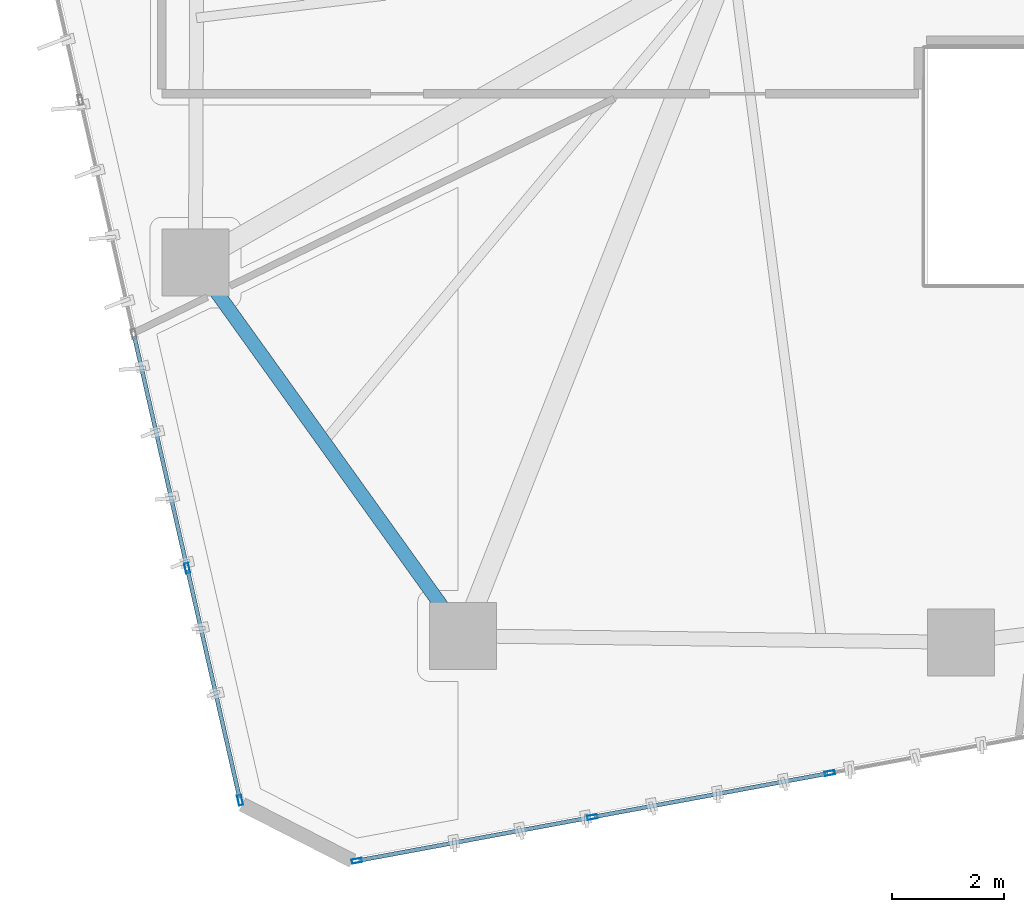
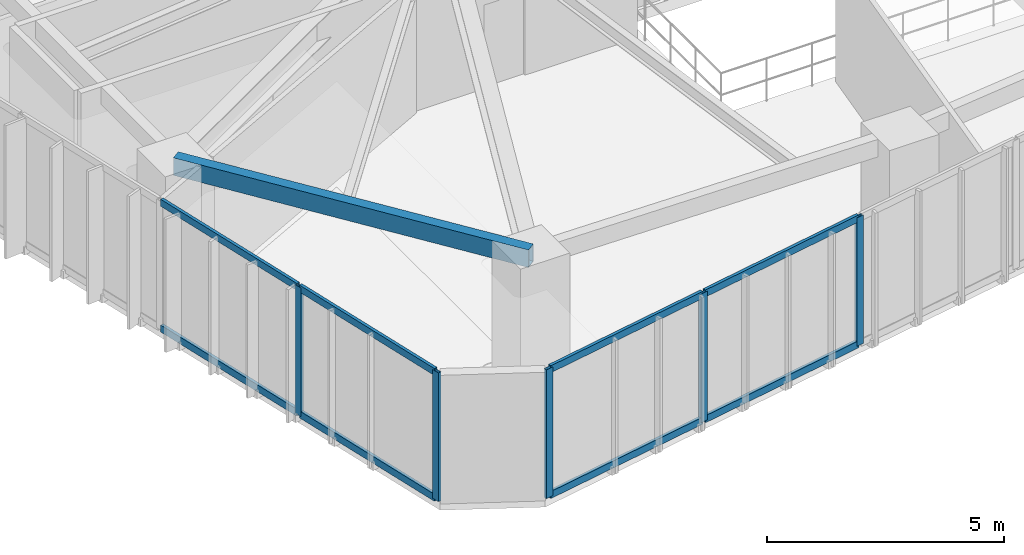
# One storey, part 2 of 22: 13 members, 1 beam, 2 elements without a shape of their own.
"""IFC4 building model written with IfcOpenShell, lengths in metres."""

from ifc_helpers import new_model, si_unit, direction, frame, origin, origin_2d, place, context, subcontext, project, spatial, hollow_rectangle, extrude, source, transform, mapped, material, layer, layer_set, material_profile, profile_set, type_object, type_shapes, element, aggregate, save


model = new_model("IFC4")

# Units and contexts
model_context = context("Model", 3, precision=1e-05, world=origin(), true_north=direction((0.0, 1.0)))
body_context = subcontext(model_context, "Body", "Model", "MODEL_VIEW")
ifc_project = project(units=[si_unit("LENGTHUNIT", "METRE"), si_unit("AREAUNIT", "SQUARE_METRE"), si_unit("VOLUMEUNIT", "CUBIC_METRE"), si_unit("PLANEANGLEUNIT", "RADIAN"), si_unit("MASSUNIT", "GRAM", prefix="KILO")], contexts=[model_context])

# Site, building, storey
site_placement = place(None, origin())
site = spatial("IfcSite", under=ifc_project, at=site_placement, CompositionType="ELEMENT")
building_placement = place(site_placement, origin())
building = spatial("IfcBuilding", under=site, at=building_placement, Name="Talar Marvaseh", CompositionType="ELEMENT")
storey_placement = place(building_placement, frame((0.0, 0.0, 121.800048828125)))
storey = spatial("IfcBuildingStorey", under=building, at=storey_placement, Name="L31", CompositionType="ELEMENT", Elevation=121.800048828125)

# Beam
ifc_material_1 = material(Name="Steel S355", Category="steel")
ifc_material_profile_1 = material_profile(ifc_material_1, hollow_rectangle(XDim=0.25, YDim=0.449951171875, WallThickness=0.01611328125, at=origin_2d()), Name="RHS450x250x16")
ifc_profile_set_1 = profile_set([ifc_material_profile_1], Name="Steel S355")
beam_type = type_object("IfcBeamType", Name="Zone 2 Perimeter Spandrel Beam RHS450x250x16", PredefinedType="SPANDREL", material=ifc_profile_set_1)
beam_placement = place(storey_placement, frame((13.89111328125, 13.299072265625, 3.0849609375), z_axis=(-0.582852871994, 0.812577706812, 0.0), x_axis=(-0.812577706812, -0.582852871994, 0.0)))
element("IfcBeam", 1, at=beam_placement, inside=storey, type_object=beam_type, Name="L31 Zone 2 Perimeter Spandrel Beam RHS450x250x16", PredefinedType="SPANDREL", context=body_context, shape_type="SweptSolid", body=[
    extrude(hollow_rectangle(XDim=0.25, YDim=0.449951171875, WallThickness=0.01611328125, at=origin_2d()), origin(), (0.0, 0.0, 1.0), 8.21826171875),
])

# Curtain wall, members
ifc_material_2 = material(Name="Architectural Aluminium", Category="aluminium")
ifc_layer = layer(ifc_material_2, 0.199951171875)
ifc_layer_set = layer_set([ifc_layer], Name="Architectural Aluminium")
curtain_wall_type = type_object("IfcCurtainWallType", Name="Unitised Acoustic Library Curtain Wall Z2", PredefinedType="NOTDEFINED", material=ifc_layer_set)
curtain_wall_1_placement = place(storey_placement, origin())
curtain_wall_1 = element("IfcCurtainWall", 2, at=curtain_wall_1_placement, inside=storey, type_object=curtain_wall_type, Name="L31 Unitised Acoustic Library Curtain Wall Z2", PredefinedType="NOTDEFINED")
ifc_material_profile_2 = material_profile(ifc_material_2, hollow_rectangle(XDim=0.074951171875, YDim=0.179931640625, WallThickness=0.0048828125, at=origin_2d()), Name="RHS180x75x5")
ifc_profile_set_2 = profile_set([ifc_material_profile_2], Name="Architectural Aluminium")
member_type_1 = type_object("IfcMemberType", Name="Unitised Curtain Wall Standard Mullion RHS180x75x5", PredefinedType="MULLION", material=ifc_profile_set_2)
shared_shape_1 = source(origin(), body_context, "Body", "SweptSolid", [
    extrude(hollow_rectangle(XDim=0.074951171875, YDim=0.179931640625, WallThickness=0.0048828125, at=origin_2d()), origin(), (0.0, 0.0, 1.0), 3.31005859375),
])
type_shapes(member_type_1, [shared_shape_1])
member_1_placement = place(storey_placement, frame((9.901123046875, 10.3564453125, 0.0), z_axis=(0.0, 0.0, 1.0), x_axis=(-0.974970261082, -0.222335309848, 0.0)))
member_1 = element("IfcMember", 3, at=member_1_placement, type_object=member_type_1, Name="CW-Z2 mullion 1", PredefinedType="MULLION", context=body_context, shape_type="MappedRepresentation", body=[
    mapped(shared_shape_1, transform((0.0, 0.0, 0.0), x_axis=(1.0, 0.0, 0.0), y_axis=(0.0, 1.0, 0.0), z_axis=(0.0, 0.0, 1.0), scale=1.0)),
])
member_2_placement = place(storey_placement, frame((8.953857421875, 14.51025390625, 0.0), z_axis=(0.0, 0.0, 1.0), x_axis=(-0.974970261082, -0.222335309848, 0.0)))
member_2 = element("IfcMember", 4, at=member_2_placement, type_object=member_type_1, Name="CW-Z2 mullion 2", PredefinedType="MULLION", context=body_context, shape_type="MappedRepresentation", body=[
    mapped(shared_shape_1, transform((0.0, 0.0, 0.0), x_axis=(1.0, 0.0, 0.0), y_axis=(0.0, 1.0, 0.0), z_axis=(0.0, 0.0, 1.0), scale=1.0)),
])

curtain_wall_2_placement = place(storey_placement, origin())
curtain_wall_2 = element("IfcCurtainWall", 5, at=curtain_wall_2_placement, inside=storey, type_object=curtain_wall_type, Name="L31 Unitised Acoustic Library Curtain Wall Z2", PredefinedType="NOTDEFINED")
member_3_placement = place(storey_placement, frame((20.45458984375, 10.842529296875, 0.0), z_axis=(0.0, 0.0, 1.0), x_axis=(0.18238841116, -0.983226559586, 0.0)))
member_3 = element("IfcMember", 6, at=member_3_placement, type_object=member_type_1, Name="CW-Z2 mullion 4", PredefinedType="MULLION", context=body_context, shape_type="MappedRepresentation", body=[
    mapped(shared_shape_1, transform((0.0, 0.0, 0.0), x_axis=(1.0, 0.0, 0.0), y_axis=(0.0, 1.0, 0.0), z_axis=(0.0, 0.0, 1.0), scale=1.0)),
])
member_4_placement = place(storey_placement, frame((16.20361328125, 10.053955078125, 0.0), z_axis=(0.0, 0.0, 1.0), x_axis=(0.18238841116, -0.983226559586, 0.0)))
member_4 = element("IfcMember", 7, at=member_4_placement, type_object=member_type_1, Name="CW-Z2 mullion 5", PredefinedType="MULLION", context=body_context, shape_type="MappedRepresentation", body=[
    mapped(shared_shape_1, transform((0.0, 0.0, 0.0), x_axis=(1.0, 0.0, 0.0), y_axis=(0.0, 1.0, 0.0), z_axis=(0.0, 0.0, 1.0), scale=1.0)),
])
member_5_placement = place(storey_placement, frame((11.989501953125, 9.272216796875, 0.0), z_axis=(0.0, 0.0, 1.0), x_axis=(0.18238841116, -0.983226559586, 0.0)))
member_5 = element("IfcMember", 8, at=member_5_placement, type_object=member_type_1, Name="CW-Z2 mullion 6", PredefinedType="MULLION", context=body_context, shape_type="MappedRepresentation", body=[
    mapped(shared_shape_1, transform((0.0, 0.0, 0.0), x_axis=(1.0, 0.0, 0.0), y_axis=(0.0, 1.0, 0.0), z_axis=(0.0, 0.0, 1.0), scale=1.0)),
])

# Member
ifc_material_profile_3 = material_profile(ifc_material_2, hollow_rectangle(XDim=0.074951171875, YDim=0.179931640625, WallThickness=0.0048828125, at=origin_2d()), Name="RHS180x75x5")
ifc_profile_set_3 = profile_set([ifc_material_profile_3], Name="Architectural Aluminium")
member_type_2 = type_object("IfcMemberType", Name="Unitised Curtain Wall Transom RHS180x75x5", PredefinedType="USERDEFINED", material=ifc_profile_set_3)
shared_shape_2 = source(origin(), body_context, "Body", "SweptSolid", [
    extrude(hollow_rectangle(XDim=0.074951171875, YDim=0.179931640625, WallThickness=0.0048828125, at=origin_2d()), origin(), (0.0, 0.0, 1.0), 4.222900390625),
])
member_6_placement = place(storey_placement, frame((8.945556640625, 14.546875, 0.037353515625), z_axis=(-0.222350695538, 0.974966752353, 0.0), x_axis=(-0.974966752353, -0.222350695538, 0.0)))
member_6 = element("IfcMember", 9, at=member_6_placement, type_object=member_type_2, Name="CW-Z2 transom 2.1", ObjectType="TRANSOM", PredefinedType="USERDEFINED", context=body_context, shape_type="MappedRepresentation", body=[
    mapped(shared_shape_2, transform((0.0, 0.0, 0.0), x_axis=(1.0, 0.0, 0.0), y_axis=(0.0, 1.0, 0.0), z_axis=(0.0, 0.0, 1.0), scale=1.0)),
])

member_7_placement = place(storey_placement, frame((8.945556640625, 14.546875, 3.2724609375), z_axis=(-0.222350695538, 0.974966752353, 0.0), x_axis=(-0.974966752353, -0.222350695538, 0.0)))
member_7 = element("IfcMember", 10, at=member_7_placement, type_object=member_type_2, Name="CW-Z2 transom 2.2", ObjectType="TRANSOM", PredefinedType="USERDEFINED", context=body_context, shape_type="MappedRepresentation", body=[
    mapped(shared_shape_2, transform((0.0, 0.0, 0.0), x_axis=(1.0, 0.0, 0.0), y_axis=(0.0, 1.0, 0.0), z_axis=(0.0, 0.0, 1.0), scale=1.0)),
])

shared_shape_3 = source(origin(), body_context, "Body", "SweptSolid", [
    extrude(hollow_rectangle(XDim=0.074951171875, YDim=0.179931640625, WallThickness=0.0048828125, at=origin_2d()), origin(), (0.0, 0.0, 1.0), 4.185546875),
])
member_8_placement = place(storey_placement, frame((9.892822265625, 10.39306640625, 0.037353515625), z_axis=(-0.222349636873, 0.974966993791, 0.0), x_axis=(-0.974966993791, -0.222349636873, 0.0)))
member_8 = element("IfcMember", 11, at=member_8_placement, type_object=member_type_2, Name="CW-Z2 transom 1.1", ObjectType="TRANSOM", PredefinedType="USERDEFINED", context=body_context, shape_type="MappedRepresentation", body=[
    mapped(shared_shape_3, transform((0.0, 0.0, 0.0), x_axis=(1.0, 0.0, 0.0), y_axis=(0.0, 1.0, 0.0), z_axis=(0.0, 0.0, 1.0), scale=1.0)),
])

member_9_placement = place(storey_placement, frame((9.892822265625, 10.39306640625, 3.2724609375), z_axis=(-0.222349636873, 0.974966993791, 0.0), x_axis=(-0.974966993791, -0.222349636873, 0.0)))
member_9 = element("IfcMember", 12, at=member_9_placement, type_object=member_type_2, Name="CW-Z2 transom 1.2", ObjectType="TRANSOM", PredefinedType="USERDEFINED", context=body_context, shape_type="MappedRepresentation", body=[
    mapped(shared_shape_3, transform((0.0, 0.0, 0.0), x_axis=(1.0, 0.0, 0.0), y_axis=(0.0, 1.0, 0.0), z_axis=(0.0, 0.0, 1.0), scale=1.0)),
])

aggregate(curtain_wall_1, [member_1, member_2, member_8, member_9, member_6, member_7])

shared_shape_4 = source(origin(), body_context, "Body", "SweptSolid", [
    extrude(hollow_rectangle(XDim=0.074951171875, YDim=0.179931640625, WallThickness=0.0048828125, at=origin_2d()), origin(), (0.0, 0.0, 1.0), 4.24853515625),
])
member_10_placement = place(storey_placement, frame((20.417724609375, 10.835693359375, 0.037353515625), z_axis=(-0.983225559844, -0.182393800523, 0.0), x_axis=(0.182393800523, -0.983225559844, 0.0)))
member_10 = element("IfcMember", 13, at=member_10_placement, type_object=member_type_2, Name="CW-Z2 transom 4.1", ObjectType="TRANSOM", PredefinedType="USERDEFINED", context=body_context, shape_type="MappedRepresentation", body=[
    mapped(shared_shape_4, transform((0.0, 0.0, 0.0), x_axis=(1.0, 0.0, 0.0), y_axis=(0.0, 1.0, 0.0), z_axis=(0.0, 0.0, 1.0), scale=1.0)),
])

member_11_placement = place(storey_placement, frame((20.417724609375, 10.835693359375, 3.2724609375), z_axis=(-0.983225559844, -0.182393800523, 0.0), x_axis=(0.182393800523, -0.983225559844, 0.0)))
member_11 = element("IfcMember", 14, at=member_11_placement, type_object=member_type_2, Name="CW-Z2 transom 4.2", ObjectType="TRANSOM", PredefinedType="USERDEFINED", context=body_context, shape_type="MappedRepresentation", body=[
    mapped(shared_shape_4, transform((0.0, 0.0, 0.0), x_axis=(1.0, 0.0, 0.0), y_axis=(0.0, 1.0, 0.0), z_axis=(0.0, 0.0, 1.0), scale=1.0)),
])

shared_shape_5 = source(origin(), body_context, "Body", "SweptSolid", [
    extrude(hollow_rectangle(XDim=0.074951171875, YDim=0.179931640625, WallThickness=0.0048828125, at=origin_2d()), origin(), (0.0, 0.0, 1.0), 4.2109375),
])
type_shapes(member_type_2, [shared_shape_2, shared_shape_3, shared_shape_4, shared_shape_5])
member_12_placement = place(storey_placement, frame((16.166748046875, 10.047119140625, 0.037353515625), z_axis=(-0.983225441956, -0.182394436016, 0.0), x_axis=(0.182394436016, -0.983225441956, 0.0)))
member_12 = element("IfcMember", 15, at=member_12_placement, type_object=member_type_2, Name="CW-Z2 transom 5.1", ObjectType="TRANSOM", PredefinedType="USERDEFINED", context=body_context, shape_type="MappedRepresentation", body=[
    mapped(shared_shape_5, transform((0.0, 0.0, 0.0), x_axis=(1.0, 0.0, 0.0), y_axis=(0.0, 1.0, 0.0), z_axis=(0.0, 0.0, 1.0), scale=1.0)),
])

member_13_placement = place(storey_placement, frame((16.166748046875, 10.047119140625, 3.2724609375), z_axis=(-0.983225441956, -0.182394436016, 0.0), x_axis=(0.182394436016, -0.983225441956, 0.0)))
member_13 = element("IfcMember", 16, at=member_13_placement, type_object=member_type_2, Name="CW-Z2 transom 5.2", ObjectType="TRANSOM", PredefinedType="USERDEFINED", context=body_context, shape_type="MappedRepresentation", body=[
    mapped(shared_shape_5, transform((0.0, 0.0, 0.0), x_axis=(1.0, 0.0, 0.0), y_axis=(0.0, 1.0, 0.0), z_axis=(0.0, 0.0, 1.0), scale=1.0)),
])

aggregate(curtain_wall_2, [member_3, member_4, member_5, member_10, member_11, member_12, member_13])

save(model, "model.ifc")
